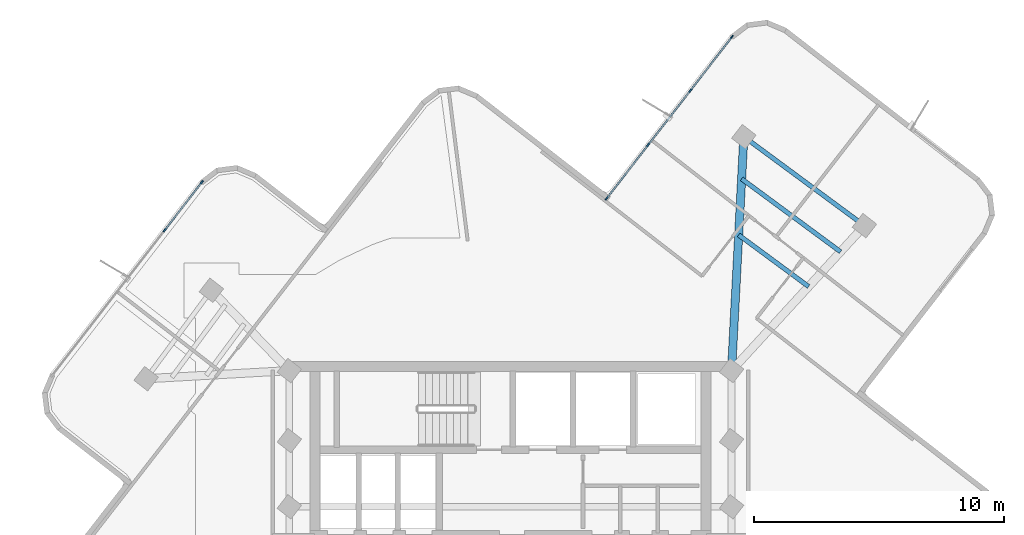
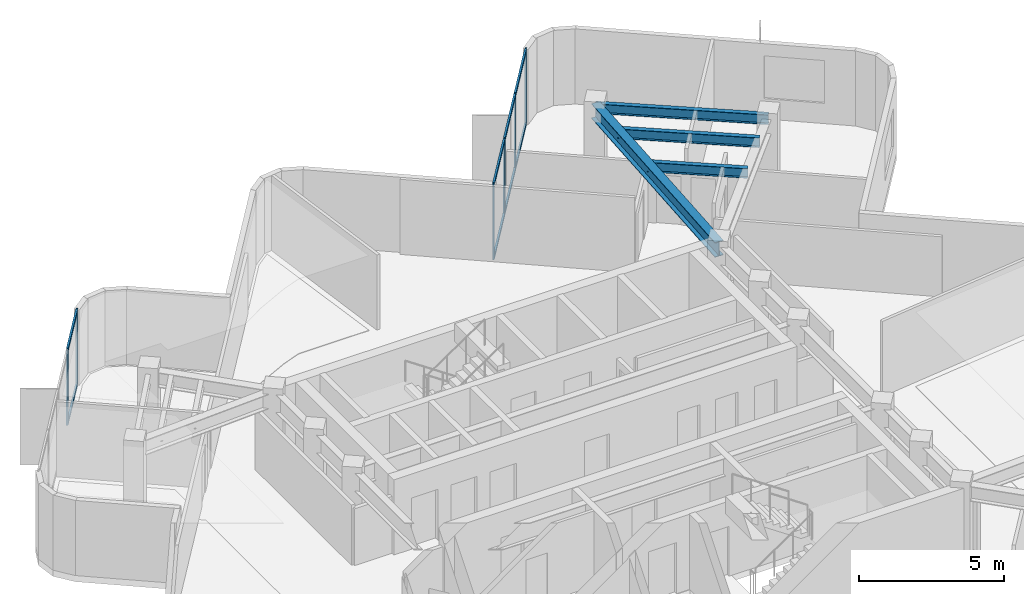
# One storey, part 4 of 10: 14 members, 4 beams, 2 elements without a shape of their own.
"""IFC4 building model written with IfcOpenShell, lengths in metres."""

from ifc_helpers import new_model, si_unit, direction, frame, origin, origin_2d, place, context, subcontext, project, spatial, rectangle, i_section, extrude, material, layer, layer_set, material_profile, profile_set, type_object, element, aggregate, save


model = new_model("IFC4")

# Units and contexts
model_context = context("Model", 3, precision=1e-05, world=origin(), true_north=direction((0.0, 1.0)))
body_context = subcontext(model_context, "Body", "Model", "MODEL_VIEW")
ifc_project = project(units=[si_unit("LENGTHUNIT", "METRE"), si_unit("AREAUNIT", "SQUARE_METRE"), si_unit("VOLUMEUNIT", "CUBIC_METRE"), si_unit("PLANEANGLEUNIT", "RADIAN"), si_unit("MASSUNIT", "GRAM", prefix="KILO")], contexts=[model_context])

# Site, building, storey
site_placement = place(None, origin())
site = spatial("IfcSite", under=ifc_project, at=site_placement, CompositionType="ELEMENT")
building_placement = place(site_placement, origin())
building = spatial("IfcBuilding", under=site, at=building_placement, Name="Solmarez Civic Tower", CompositionType="ELEMENT")
storey_placement = place(building_placement, frame((0.0, 0.0, 261.179931640625)))
storey = spatial("IfcBuildingStorey", under=building, at=storey_placement, Name="L70", CompositionType="ELEMENT", Elevation=261.179931640625)

# Beams
ifc_material_1 = material(Name="Steel S355", Category="steel")
ifc_material_profile_1 = material_profile(ifc_material_1, i_section(OverallWidth=0.178955078125, OverallDepth=0.409912109375, WebThickness=0.0087890625, FlangeThickness=0.014404296875, at=origin_2d()), Name="W16X45")
ifc_profile_set_1 = profile_set([ifc_material_profile_1], Name="Steel S355")
beam_type_1 = type_object("IfcBeamType", Name="BM-JS-W16X45", PredefinedType="JOIST", material=ifc_profile_set_1)
beam_1_placement = place(storey_placement, frame((14.1689453125, 14.152099609375, 2.955078125), z_axis=(-0.804687480311, 0.593698626434, 0.0), x_axis=(-0.593698626434, -0.804687480311, 0.0)))
element("IfcBeam", 1, at=beam_1_placement, inside=storey, type_object=beam_type_1, Name="L70 Secondary Floor Joist BM-L70-EA-T1", PredefinedType="JOIST", context=body_context, shape_type="SweptSolid", body=[
    extrude(i_section(OverallWidth=0.178955078125, OverallDepth=0.409912109375, WebThickness=0.0087890625, FlangeThickness=0.014404296875, at=origin_2d()), origin(), (0.0, 0.0, 1.0), 5.999755859375),
])
beam_2_placement = place(storey_placement, frame((11.93505859375, 11.715087890625, 2.955078125), z_axis=(-0.8046818189, 0.593706299724, 0.0), x_axis=(-0.593706299724, -0.8046818189, 0.0)))
element("IfcBeam", 2, at=beam_2_placement, inside=storey, type_object=beam_type_1, Name="L70 Secondary Floor Joist JS-L70-EA-M11", PredefinedType="JOIST", context=body_context, shape_type="SweptSolid", body=[
    extrude(i_section(OverallWidth=0.178955078125, OverallDepth=0.409912109375, WebThickness=0.0087890625, FlangeThickness=0.014404296875, at=origin_2d()), origin(), (0.0, 0.0, 1.0), 3.479736328125),
])
beam_3_placement = place(storey_placement, frame((13.2119140625, 13.10791015625, 2.955078125), z_axis=(-0.804762606031, 0.593596789019, 0.0), x_axis=(-0.593596789019, -0.804762606031, 0.0)))
element("IfcBeam", 3, at=beam_3_placement, inside=storey, type_object=beam_type_1, Name="L70 Secondary Floor Joist JS-L70-EA-M12", PredefinedType="JOIST", context=body_context, shape_type="SweptSolid", body=[
    extrude(i_section(OverallWidth=0.178955078125, OverallDepth=0.409912109375, WebThickness=0.0087890625, FlangeThickness=0.014404296875, at=origin_2d()), origin(), (0.0, 0.0, 1.0), 4.91943359375),
])
ifc_material_profile_2 = material_profile(ifc_material_1, i_section(OverallWidth=0.327880859375, OverallDepth=0.6220703125, WebThickness=0.015380859375, FlangeThickness=0.0244140625, at=origin_2d()), Name="W24X131")
ifc_profile_set_2 = profile_set([ifc_material_profile_2], Name="Steel S355")
beam_type_2 = type_object("IfcBeamType", Name="BM-PR-W24X131", PredefinedType="BEAM", material=ifc_profile_set_2)
beam_4_placement = place(storey_placement, frame((8.85009765625, 8.35009765625, 2.84912109375), z_axis=(0.052359315135, 0.998628310293, 0.0), x_axis=(-0.998628310293, 0.052359315135, 0.0)))
element("IfcBeam", 4, at=beam_4_placement, inside=storey, type_object=beam_type_2, Name="L70 Primary Floor Beam BM-L70-EA-R1B", PredefinedType="BEAM", context=body_context, shape_type="SweptSolid", body=[
    extrude(i_section(OverallWidth=0.327880859375, OverallDepth=0.6220703125, WebThickness=0.015380859375, FlangeThickness=0.0244140625, at=origin_2d()), origin(), (0.0, 0.0, 1.0), 9.376953125),
])

# Curtain wall, members
ifc_material_2 = material(Name="Bronze Anodised Aluminium EN AW-6063 T6", Category="aluminium")
ifc_layer = layer(ifc_material_2, 0.1650390625)
ifc_layer_set = layer_set([ifc_layer], Name="Bronze Anodised Aluminium EN AW-6063 T6")
curtain_wall_type = type_object("IfcCurtainWallType", Name="CW-SYS-4", PredefinedType="NOTDEFINED", material=ifc_layer_set)
curtain_wall_1_placement = place(storey_placement, origin())
curtain_wall_1 = element("IfcCurtainWall", 5, at=curtain_wall_1_placement, inside=storey, type_object=curtain_wall_type, Name="L70 Stick-Built Curtain Wall 1", PredefinedType="NOTDEFINED")
ifc_material_profile_3 = material_profile(ifc_material_2, rectangle(XDim=0.06005859375, YDim=0.14990234375, at=origin_2d()), Name="CWM-60X150")
ifc_profile_set_3 = profile_set([ifc_material_profile_3], Name="Bronze Anodised Aluminium EN AW-6063 T6")
member_type_1 = type_object("IfcMemberType", Name="CWM-TYPE-4", PredefinedType="MULLION", material=ifc_profile_set_3)
member_1_placement = place(storey_placement, frame((-13.842041015625, 13.97119140625, 0.0), z_axis=(0.0, 0.0, 1.0), x_axis=(-0.790233885485, 0.612805357542, 0.0)))
member_1 = element("IfcMember", 6, at=member_1_placement, type_object=member_type_1, Name="CWS4 mullion 4", PredefinedType="MULLION", context=body_context, shape_type="SweptSolid", body=[
    extrude(rectangle(XDim=0.06005859375, YDim=0.14990234375, at=origin_2d()), origin(), (0.0, 0.0, 1.0), 3.16015625),
])
member_2_placement = place(storey_placement, frame((-12.35546875, 15.88818359375, 0.0), z_axis=(0.0, 0.0, 1.0), x_axis=(-0.790233885485, 0.612805357542, 0.0)))
member_2 = element("IfcMember", 7, at=member_2_placement, type_object=member_type_1, Name="CWS4 mullion 5", PredefinedType="MULLION", context=body_context, shape_type="SweptSolid", body=[
    extrude(rectangle(XDim=0.06005859375, YDim=0.14990234375, at=origin_2d()), origin(), (0.0, 0.0, 1.0), 3.16015625),
])

curtain_wall_2_placement = place(storey_placement, origin())
curtain_wall_2 = element("IfcCurtainWall", 8, at=curtain_wall_2_placement, inside=storey, type_object=curtain_wall_type, Name="L70 Stick-Built Curtain Wall 2", PredefinedType="NOTDEFINED")
member_3_placement = place(storey_placement, frame((3.847412109375, 15.23876953125, 0.0), z_axis=(0.0, 0.0, 1.0), x_axis=(-0.790155050886, 0.612907004006, 0.0)))
member_3 = element("IfcMember", 9, at=member_3_placement, type_object=member_type_1, Name="CWS4 mullion 1", PredefinedType="MULLION", context=body_context, shape_type="SweptSolid", body=[
    extrude(rectangle(XDim=0.06005859375, YDim=0.14990234375, at=origin_2d()), origin(), (0.0, 0.0, 1.0), 3.16015625),
])
member_4_placement = place(storey_placement, frame((5.512939453125, 17.385986328125, 0.0), z_axis=(0.0, 0.0, 1.0), x_axis=(-0.790155050886, 0.612907004006, 0.0)))
member_4 = element("IfcMember", 10, at=member_4_placement, type_object=member_type_1, Name="CWS4 mullion 2", PredefinedType="MULLION", context=body_context, shape_type="SweptSolid", body=[
    extrude(rectangle(XDim=0.06005859375, YDim=0.14990234375, at=origin_2d()), origin(), (0.0, 0.0, 1.0), 3.16015625),
])
member_5_placement = place(storey_placement, frame((7.197021484375, 19.556884765625, 0.0), z_axis=(0.0, 0.0, 1.0), x_axis=(-0.790155050886, 0.612907004006, 0.0)))
member_5 = element("IfcMember", 11, at=member_5_placement, type_object=member_type_1, Name="CWS4 mullion 3", PredefinedType="MULLION", context=body_context, shape_type="SweptSolid", body=[
    extrude(rectangle(XDim=0.06005859375, YDim=0.14990234375, at=origin_2d()), origin(), (0.0, 0.0, 1.0), 3.16015625),
])
member_6_placement = place(storey_placement, frame((8.862548828125, 21.704345703125, 0.0), z_axis=(0.0, 0.0, 1.0), x_axis=(-0.790155050886, 0.612907004006, 0.0)))
member_6 = element("IfcMember", 12, at=member_6_placement, type_object=member_type_1, Name="CWS4 mullion 4", PredefinedType="MULLION", context=body_context, shape_type="SweptSolid", body=[
    extrude(rectangle(XDim=0.06005859375, YDim=0.14990234375, at=origin_2d()), origin(), (0.0, 0.0, 1.0), 3.16015625),
])

# Member
ifc_material_profile_4 = material_profile(ifc_material_2, rectangle(XDim=0.070068359375, YDim=0.139892578125, at=origin_2d()), Name="CWT-70X140")
ifc_profile_set_4 = profile_set([ifc_material_profile_4], Name="Bronze Anodised Aluminium EN AW-6063 T6")
member_type_2 = type_object("IfcMemberType", Name="CWT-TYPE-1", PredefinedType="USERDEFINED", material=ifc_profile_set_4)
member_7_placement = place(storey_placement, frame((-13.82373046875, 13.994873046875, 0.03515625), z_axis=(0.612832724308, 0.790212662527, 0.0), x_axis=(-0.790212662527, 0.612832724308, 0.0)))
member_7 = element("IfcMember", 13, at=member_7_placement, type_object=member_type_2, Name="CWS4 transom 4.1", ObjectType="TRANSOM", PredefinedType="USERDEFINED", context=body_context, shape_type="SweptSolid", body=[
    extrude(rectangle(XDim=0.070068359375, YDim=0.139892578125, at=origin_2d()), origin(), (0.0, 0.0, 1.0), 2.365966796875),
])

member_8_placement = place(storey_placement, frame((-13.82373046875, 13.994873046875, 3.125), z_axis=(0.612832724308, 0.790212662527, 0.0), x_axis=(-0.790212662527, 0.612832724308, 0.0)))
member_8 = element("IfcMember", 14, at=member_8_placement, type_object=member_type_2, Name="CWS4 transom 4.2", ObjectType="TRANSOM", PredefinedType="USERDEFINED", context=body_context, shape_type="SweptSolid", body=[
    extrude(rectangle(XDim=0.070068359375, YDim=0.139892578125, at=origin_2d()), origin(), (0.0, 0.0, 1.0), 2.365966796875),
])

aggregate(curtain_wall_1, [member_1, member_2, member_7, member_8])

member_9_placement = place(storey_placement, frame((3.86572265625, 15.262451171875, 0.03515625), z_axis=(0.612928878827, 0.790138082553, 0.0), x_axis=(-0.790138082553, 0.612928878827, 0.0)))
member_9 = element("IfcMember", 15, at=member_9_placement, type_object=member_type_2, Name="CWS4 transom 1.1", ObjectType="TRANSOM", PredefinedType="USERDEFINED", context=body_context, shape_type="SweptSolid", body=[
    extrude(rectangle(XDim=0.070068359375, YDim=0.139892578125, at=origin_2d()), origin(), (0.0, 0.0, 1.0), 2.657470703125),
])

member_10_placement = place(storey_placement, frame((3.86572265625, 15.262451171875, 3.125), z_axis=(0.612928878827, 0.790138082553, 0.0), x_axis=(-0.790138082553, 0.612928878827, 0.0)))
member_10 = element("IfcMember", 16, at=member_10_placement, type_object=member_type_2, Name="CWS4 transom 1.2", ObjectType="TRANSOM", PredefinedType="USERDEFINED", context=body_context, shape_type="SweptSolid", body=[
    extrude(rectangle(XDim=0.070068359375, YDim=0.139892578125, at=origin_2d()), origin(), (0.0, 0.0, 1.0), 2.657470703125),
])

member_11_placement = place(storey_placement, frame((5.531494140625, 17.40966796875, 0.03515625), z_axis=(0.612914972062, 0.790148870164, 0.0), x_axis=(-0.790148870164, 0.612914972062, 0.0)))
member_11 = element("IfcMember", 17, at=member_11_placement, type_object=member_type_2, Name="CWS4 transom 2.1", ObjectType="TRANSOM", PredefinedType="USERDEFINED", context=body_context, shape_type="SweptSolid", body=[
    extrude(rectangle(XDim=0.070068359375, YDim=0.139892578125, at=origin_2d()), origin(), (0.0, 0.0, 1.0), 2.6875),
])

member_12_placement = place(storey_placement, frame((5.531494140625, 17.40966796875, 3.125), z_axis=(0.612914972062, 0.790148870164, 0.0), x_axis=(-0.790148870164, 0.612914972062, 0.0)))
member_12 = element("IfcMember", 18, at=member_12_placement, type_object=member_type_2, Name="CWS4 transom 2.2", ObjectType="TRANSOM", PredefinedType="USERDEFINED", context=body_context, shape_type="SweptSolid", body=[
    extrude(rectangle(XDim=0.070068359375, YDim=0.139892578125, at=origin_2d()), origin(), (0.0, 0.0, 1.0), 2.6875),
])

member_13_placement = place(storey_placement, frame((7.21533203125, 19.580810546875, 0.03515625), z_axis=(0.612928878827, 0.790138082553, 0.0), x_axis=(-0.790138082553, 0.612928878827, 0.0)))
member_13 = element("IfcMember", 19, at=member_13_placement, type_object=member_type_2, Name="CWS4 transom 3.1", ObjectType="TRANSOM", PredefinedType="USERDEFINED", context=body_context, shape_type="SweptSolid", body=[
    extrude(rectangle(XDim=0.070068359375, YDim=0.139892578125, at=origin_2d()), origin(), (0.0, 0.0, 1.0), 2.657470703125),
])

member_14_placement = place(storey_placement, frame((7.21533203125, 19.580810546875, 3.125), z_axis=(0.612928878827, 0.790138082553, 0.0), x_axis=(-0.790138082553, 0.612928878827, 0.0)))
member_14 = element("IfcMember", 20, at=member_14_placement, type_object=member_type_2, Name="CWS4 transom 3.2", ObjectType="TRANSOM", PredefinedType="USERDEFINED", context=body_context, shape_type="SweptSolid", body=[
    extrude(rectangle(XDim=0.070068359375, YDim=0.139892578125, at=origin_2d()), origin(), (0.0, 0.0, 1.0), 2.657470703125),
])

aggregate(curtain_wall_2, [member_3, member_4, member_5, member_6, member_9, member_10, member_11, member_12, member_13, member_14])

save(model, "model.ifc")
